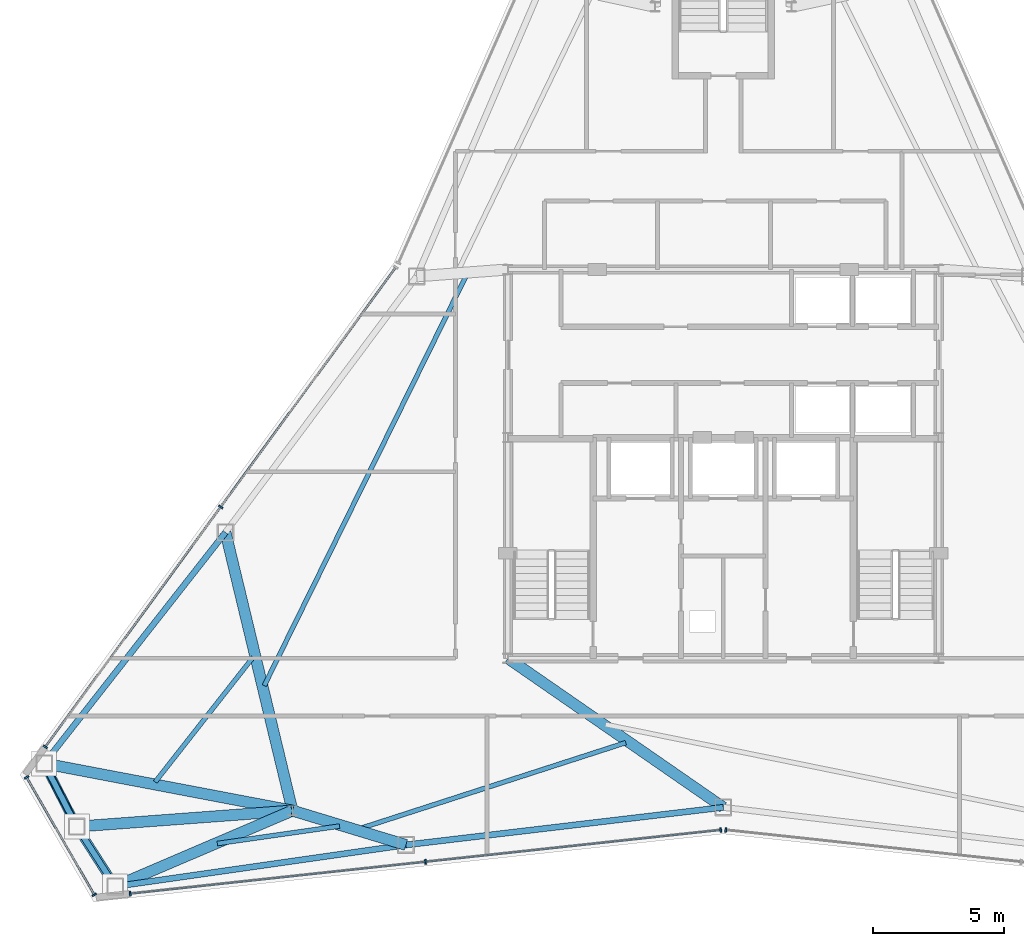
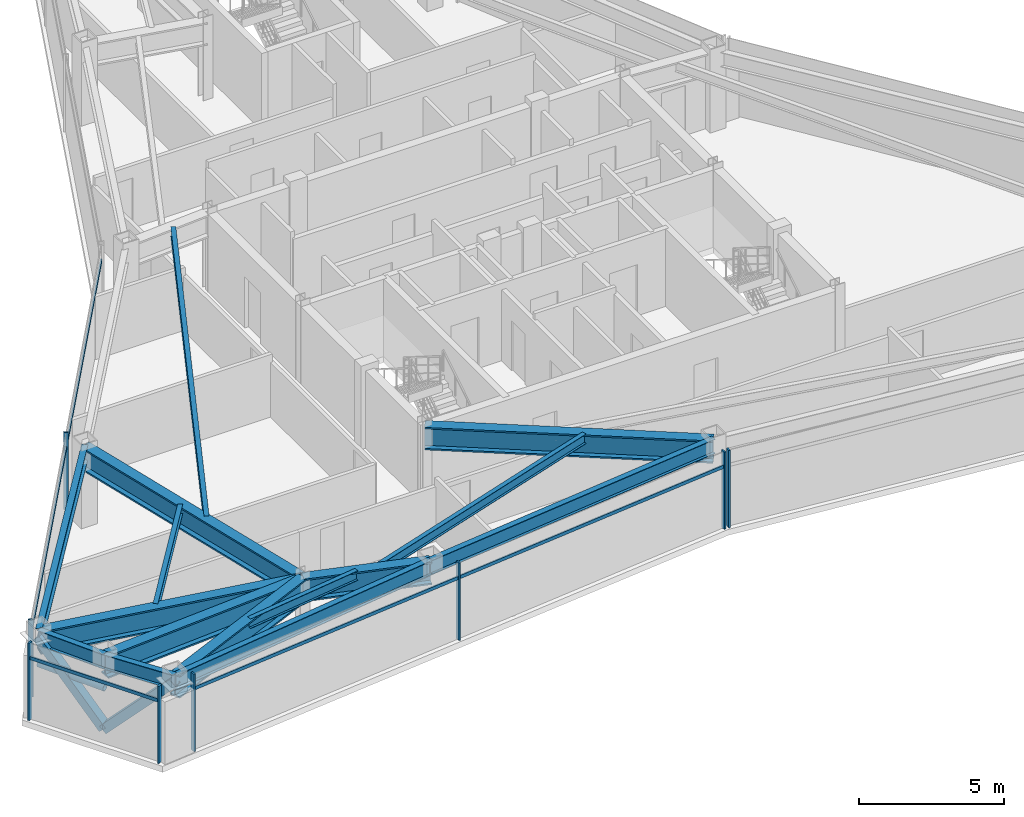
# One storey, part 3 of 12: 15 beams, 14 members, 4 elements without a shape of their own.
"""IFC4 building model written with IfcOpenShell, lengths in metres."""

from ifc_helpers import new_model, si_unit, direction, frame, origin, origin_2d, place, context, subcontext, project, spatial, rectangle, hollow_rectangle, hollow_circle, i_section, extrude, source, transform, mapped, material, layer, layer_set, material_profile, profile_set, type_object, type_shapes, element, aggregate, save


model = new_model("IFC4")

# Units and contexts
model_context = context("Model", 3, precision=1e-05, world=origin(), true_north=direction((0.0, 1.0)))
body_context = subcontext(model_context, "Body", "Model", "MODEL_VIEW")
ifc_project = project(units=[si_unit("LENGTHUNIT", "METRE"), si_unit("AREAUNIT", "SQUARE_METRE"), si_unit("VOLUMEUNIT", "CUBIC_METRE"), si_unit("PLANEANGLEUNIT", "RADIAN"), si_unit("MASSUNIT", "GRAM", prefix="KILO")], contexts=[model_context])

# Site, building, storey
site_placement = place(None, origin())
site = spatial("IfcSite", under=ifc_project, at=site_placement, CompositionType="ELEMENT")
building_placement = place(site_placement, origin())
building = spatial("IfcBuilding", under=site, at=building_placement, Name="Varakhsha Concourse Tower", CompositionType="ELEMENT")
storey_placement = place(building_placement, frame((0.0, 0.0, 265.5)))
storey = spatial("IfcBuildingStorey", under=building, at=storey_placement, Name="L75", CompositionType="ELEMENT", Elevation=265.5)

# Beams
ifc_material_1 = material(Name="Structural Steel ASTM A992 Grade 50", Category="steel")
ifc_material_profile_1 = material_profile(ifc_material_1, i_section(OverallWidth=0.177978515625, OverallDepth=0.406982421875, WebThickness=0.008056640625, FlangeThickness=0.012939453125, at=origin_2d()), Name="W16X40")
ifc_profile_set_1 = profile_set([ifc_material_profile_1], Name="Structural Steel ASTM A992 Grade 50")
beam_type_1 = type_object("IfcBeamType", Name="BM-JST-W16X40", PredefinedType="JOIST", material=ifc_profile_set_1)
beam_1_placement = place(storey_placement, frame((30.22412109375, 30.986083984375, 3.04638671875), z_axis=(-0.441851842642, -0.897088038686, 0.0), x_axis=(0.897088038686, -0.441851842642, 0.0)))
element("IfcBeam", 1, at=beam_1_placement, inside=storey, type_object=beam_type_1, Name="BM-TJST-L75-05", PredefinedType="JOIST", context=body_context, shape_type="SweptSolid", body=[
    extrude(i_section(OverallWidth=0.177978515625, OverallDepth=0.406982421875, WebThickness=0.008056640625, FlangeThickness=0.012939453125, at=origin_2d()), origin(), (0.0, 0.0, 1.0), 17.419921875),
])
beam_2_placement = place(storey_placement, frame((22.1044921875, 16.444580078125, 3.04638671875), z_axis=(-0.617368066023, -0.786674437779, 0.0), x_axis=(0.786674437779, -0.617368066023, 0.0)))
element("IfcBeam", 2, at=beam_2_placement, inside=storey, type_object=beam_type_1, Name="BM-TJST-L75-06", PredefinedType="JOIST", context=body_context, shape_type="SweptSolid", body=[
    extrude(i_section(OverallWidth=0.177978515625, OverallDepth=0.406982421875, WebThickness=0.008056640625, FlangeThickness=0.012939453125, at=origin_2d()), origin(), (0.0, 0.0, 1.0), 6.04052734375),
])
beam_3_placement = place(storey_placement, frame((20.739990234375, 9.345703125, 3.04638671875), z_axis=(0.989964036021, 0.141319522304, 0.0), x_axis=(-0.141319522304, 0.989964036021, 0.0)))
element("IfcBeam", 3, at=beam_3_placement, inside=storey, type_object=beam_type_1, Name="BM-TJST-L75-09", PredefinedType="JOIST", context=body_context, shape_type="SweptSolid", body=[
    extrude(i_section(OverallWidth=0.177978515625, OverallDepth=0.406982421875, WebThickness=0.008056640625, FlangeThickness=0.012939453125, at=origin_2d()), origin(), (0.0, 0.0, 1.0), 4.698974609375),
])
beam_4_placement = place(storey_placement, frame((26.123779296875, 9.902587890625, 3.04638671875), z_axis=(0.951535046043, 0.307540332561, 0.0), x_axis=(-0.307540332561, 0.951535046043, 0.0)))
element("IfcBeam", 4, at=beam_4_placement, inside=storey, type_object=beam_type_1, Name="BM-TJST-L75-10", PredefinedType="JOIST", context=body_context, shape_type="SweptSolid", body=[
    extrude(i_section(OverallWidth=0.177978515625, OverallDepth=0.406982421875, WebThickness=0.008056640625, FlangeThickness=0.012939453125, at=origin_2d()), origin(), (0.0, 0.0, 1.0), 10.68115234375),
])
ifc_material_profile_2 = material_profile(ifc_material_1, i_section(OverallWidth=0.423095703125, OverallDepth=0.947998046875, WebThickness=0.0380859375, FlangeThickness=0.06396484375, at=origin_2d()), Name="W36X302")
ifc_profile_set_2 = profile_set([ifc_material_profile_2], Name="Structural Steel ASTM A992 Grade 50")
beam_type_2 = type_object("IfcBeamType", Name="BM-OUTR-W36X302", PredefinedType="USERDEFINED", material=ifc_profile_set_2)
beam_5_placement = place(storey_placement, frame((23.60009765625, 10.60009765625, 2.77587890625), z_axis=(-0.234020493668, 0.97223166403, 0.0), x_axis=(-0.97223166403, -0.234020493668, 0.0)))
element("IfcBeam", 5, at=beam_5_placement, inside=storey, type_object=beam_type_2, Name="L75 Radial Floor Girder 06", ObjectType="GIRDER", PredefinedType="USERDEFINED", context=body_context, shape_type="SweptSolid", body=[
    extrude(i_section(OverallWidth=0.423095703125, OverallDepth=0.947998046875, WebThickness=0.0380859375, FlangeThickness=0.06396484375, at=origin_2d()), origin(), (0.0, 0.0, 1.0), 10.8935546875),
])
beam_6_placement = place(storey_placement, frame((23.60009765625, 10.60009765625, 2.77587890625), z_axis=(-0.982408020767, 0.186747103681, 0.0), x_axis=(-0.186747103681, -0.982408020767, 0.0)))
element("IfcBeam", 6, at=beam_6_placement, inside=storey, type_object=beam_type_2, Name="L75 Radial Floor Girder 07", ObjectType="GIRDER", PredefinedType="USERDEFINED", context=body_context, shape_type="SweptSolid", body=[
    extrude(i_section(OverallWidth=0.423095703125, OverallDepth=0.947998046875, WebThickness=0.0380859375, FlangeThickness=0.06396484375, at=origin_2d()), origin(), (0.0, 0.0, 1.0), 9.62060546875),
])
beam_7_placement = place(storey_placement, frame((23.60009765625, 10.60009765625, 2.77587890625), z_axis=(-0.997263302263, -0.073931765569, 0.0), x_axis=(0.073931765569, -0.997263302263, 0.0)))
element("IfcBeam", 7, at=beam_7_placement, inside=storey, type_object=beam_type_2, Name="L75 Radial Floor Girder 08", ObjectType="GIRDER", PredefinedType="USERDEFINED", context=body_context, shape_type="SweptSolid", body=[
    extrude(i_section(OverallWidth=0.423095703125, OverallDepth=0.947998046875, WebThickness=0.0380859375, FlangeThickness=0.06396484375, at=origin_2d()), origin(), (0.0, 0.0, 1.0), 8.232421875),
])
beam_8_placement = place(storey_placement, frame((23.60009765625, 10.60009765625, 2.77587890625), z_axis=(-0.91941323133, -0.393292906184, 0.0), x_axis=(0.393292906184, -0.91941323133, 0.0)))
element("IfcBeam", 8, at=beam_8_placement, inside=storey, type_object=beam_type_2, Name="L75 Radial Floor Girder 09", ObjectType="GIRDER", PredefinedType="USERDEFINED", context=body_context, shape_type="SweptSolid", body=[
    extrude(i_section(OverallWidth=0.423095703125, OverallDepth=0.947998046875, WebThickness=0.0380859375, FlangeThickness=0.06396484375, at=origin_2d()), origin(), (0.0, 0.0, 1.0), 7.33935546875),
])
beam_9_placement = place(storey_placement, frame((23.60009765625, 10.60009765625, 2.77587890625), z_axis=(0.957197136996, -0.289436764988, 0.0), x_axis=(0.289436764988, 0.957197136996, 0.0)))
element("IfcBeam", 9, at=beam_9_placement, inside=storey, type_object=beam_type_2, Name="L75 Radial Floor Girder 10", ObjectType="GIRDER", PredefinedType="USERDEFINED", context=body_context, shape_type="SweptSolid", body=[
    extrude(i_section(OverallWidth=0.423095703125, OverallDepth=0.947998046875, WebThickness=0.0380859375, FlangeThickness=0.06396484375, at=origin_2d()), origin(), (0.0, 0.0, 1.0), 4.5126953125),
])
beam_10_placement = place(storey_placement, frame((31.800048828125, 16.39990234375, 2.77587890625), z_axis=(0.822221273218, -0.569167969819, 0.0), x_axis=(0.569167969819, 0.822221273218, 0.0)))
element("IfcBeam", 10, at=beam_10_placement, inside=storey, type_object=beam_type_2, Name="L75 Radial Floor Girder 11", ObjectType="GIRDER", PredefinedType="USERDEFINED", context=body_context, shape_type="SweptSolid", body=[
    extrude(i_section(OverallWidth=0.423095703125, OverallDepth=0.947998046875, WebThickness=0.0380859375, FlangeThickness=0.06396484375, at=origin_2d()), origin(), (0.0, 0.0, 1.0), 9.972900390625),
])
ifc_material_profile_3 = material_profile(ifc_material_1, i_section(OverallWidth=0.22900390625, OverallDepth=0.612060546875, WebThickness=0.011962890625, FlangeThickness=0.02001953125, at=origin_2d()), Name="W24X84")
ifc_profile_set_3 = profile_set([ifc_material_profile_3], Name="Structural Steel ASTM A992 Grade 50")
beam_type_3 = type_object("IfcBeamType", Name="BM-SPAN-W24X84", PredefinedType="SPANDREL", material=ifc_profile_set_3)
beam_11_placement = place(storey_placement, frame((21.05078125, 21.191162109375, 2.944091796875), z_axis=(-0.617389378054, -0.786657712011, 0.0), x_axis=(0.786657712011, -0.617389378054, 0.0)))
element("IfcBeam", 11, at=beam_11_placement, inside=storey, type_object=beam_type_3, Name="BM-SPAN-L75-06", PredefinedType="SPANDREL", context=body_context, shape_type="SweptSolid", body=[
    extrude(i_section(OverallWidth=0.22900390625, OverallDepth=0.612060546875, WebThickness=0.011962890625, FlangeThickness=0.02001953125, at=origin_2d()), origin(), (0.0, 0.0, 1.0), 11.179443359375),
])
for number, where, z_axis, x_axis, name in (
    (12, (14.148681640625, 12.396728515625, 2.944091796875), (0.458649812349, -0.888617099561, 0.0), (0.888617099561, 0.458649812349, 0.0), "BM-SPAN-L75-07"),
    (13, (15.39013671875, 9.991455078125, 2.944091796875), (0.540192188796, -0.841541679992, 0.0), (0.841541679992, 0.540192188796, 0.0), "BM-SPAN-L75-08"),
):
    element("IfcBeam", number, at=place(storey_placement, frame(where, z_axis=z_axis, x_axis=x_axis)), inside=storey, type_object=beam_type_3, Name=name, PredefinedType="SPANDREL", context=body_context, shape_type="SweptSolid", body=[
        extrude(i_section(OverallWidth=0.22900390625, OverallDepth=0.612060546875, WebThickness=0.011962890625, FlangeThickness=0.02001953125, at=origin_2d()), origin(), (0.0, 0.0, 1.0), 2.706787109375),
    ])
beam_12_placement = place(storey_placement, frame((16.852294921875, 7.713623046875, 2.944091796875), z_axis=(0.989958663525, 0.141357152321, 0.0), x_axis=(-0.141357152321, 0.989958663525, 0.0)))
element("IfcBeam", 14, at=beam_12_placement, inside=storey, type_object=beam_type_3, Name="BM-SPAN-L75-09", PredefinedType="SPANDREL", context=body_context, shape_type="SweptSolid", body=[
    extrude(i_section(OverallWidth=0.22900390625, OverallDepth=0.612060546875, WebThickness=0.011962890625, FlangeThickness=0.02001953125, at=origin_2d()), origin(), (0.0, 0.0, 1.0), 11.1796875),
])
beam_13_placement = place(storey_placement, frame((27.919677734375, 9.2939453125, 2.944091796875), z_axis=(0.993069539855, 0.117528247719, 0.0), x_axis=(-0.117528247719, 0.993069539855, 0.0)))
element("IfcBeam", 15, at=beam_13_placement, inside=storey, type_object=beam_type_3, Name="BM-SPAN-L75-10", PredefinedType="SPANDREL", context=body_context, shape_type="SweptSolid", body=[
    extrude(i_section(OverallWidth=0.22900390625, OverallDepth=0.612060546875, WebThickness=0.011962890625, FlangeThickness=0.02001953125, at=origin_2d()), origin(), (0.0, 0.0, 1.0), 12.16455078125),
])

# Members
ifc_material_2 = material(Name="Structural Steel ASTM A500 Grade C", Category="steel")
ifc_material_profile_4 = material_profile(ifc_material_2, hollow_rectangle(XDim=0.35009765625, YDim=0.35009765625, WallThickness=0.01611328125, at=origin_2d()), Name="HSS 350x350x16")
ifc_profile_set_4 = profile_set([ifc_material_profile_4], Name="Structural Steel ASTM A500 Grade C")
member_type_1 = type_object("IfcMemberType", Name="MB-TUBE-HSS350", PredefinedType="BRACE", material=ifc_profile_set_4)
shared_shape_1 = source(origin(), body_context, "Body", "SweptSolid", [
    extrude(hollow_rectangle(XDim=0.35009765625, YDim=0.35009765625, WallThickness=0.01611328125, at=origin_2d()), origin(), (0.0, 0.0, 1.0), 3.916015625),
])
type_shapes(member_type_1, [shared_shape_1])
for number, where, z_axis, x_axis, name in (
    (16, (15.39013671875, 9.991455078125, 0.1201171875), (-0.317026844456, 0.614227821352, 0.722646637971), (-0.888617099561, -0.458649812349, 0.0), "L75 Wind-Corner Tube Brace B03"),
    (17, (15.39013671875, 9.991455078125, 0.1201171875), (0.373388702082, -0.581685855806, 0.722649598569), (0.841541679992, 0.540192188796, 0.0), "L75 Wind-Corner Tube Brace B04"),
):
    element("IfcMember", number, at=place(storey_placement, frame(where, z_axis=z_axis, x_axis=x_axis)), inside=storey, type_object=member_type_1, Name=name, PredefinedType="BRACE", context=body_context, shape_type="MappedRepresentation", body=[
        mapped(shared_shape_1, transform((0.0, 0.0, 0.0), scale=1.0)),
    ])
ifc_material_profile_5 = material_profile(ifc_material_2, hollow_circle(Radius=0.136474609375, WallThickness=0.011962890625, at=origin_2d()), Name="CHS 273x12")
ifc_profile_set_5 = profile_set([ifc_material_profile_5], Name="Structural Steel ASTM A500 Grade C")
member_type_2 = type_object("IfcMemberType", Name="MB-WIND-CHS273", PredefinedType="COLLAR", material=ifc_profile_set_5)
shared_shape_2 = source(origin(), body_context, "Body", "SweptSolid", [
    extrude(hollow_circle(Radius=0.136474609375, WallThickness=0.011962890625, at=origin_2d()), origin(), (0.0, 0.0, 1.0), 2.706787109375),
])
type_shapes(member_type_2, [shared_shape_2])
member_1_placement = place(storey_placement, frame((14.148681640625, 12.396728515625, 1.800048828125), z_axis=(0.458649812349, -0.888617099561, 0.0), x_axis=(0.888617099561, 0.458649812349, 0.0)))
element("IfcMember", 18, at=member_1_placement, inside=storey, type_object=member_type_2, Name="L75 Wind-Corner Collar Tie 2", PredefinedType="COLLAR", context=body_context, shape_type="MappedRepresentation", body=[
    mapped(shared_shape_2, transform((0.0, 0.0, 0.0), scale=1.0)),
])

# Curtain wall, members
ifc_material_3 = material(Name="Anodised Bronze Architectural Aluminium AA 6063-T6", Category="aluminium")
ifc_layer = layer(ifc_material_3, 0.199951171875, Name="CW-SYS-05")
ifc_layer_set = layer_set([ifc_layer], Name="Anodised Bronze Architectural Aluminium AA 6063-T6")
curtain_wall_type = type_object("IfcCurtainWallType", Name="CW-SYS-05", PredefinedType="NOTDEFINED", material=ifc_layer_set)
curtain_wall_1_placement = place(storey_placement, origin())
curtain_wall_1 = element("IfcCurtainWall", 19, at=curtain_wall_1_placement, inside=storey, type_object=curtain_wall_type, Name="L75 Crystal Curtain Wall F3", PredefinedType="NOTDEFINED")
ifc_material_profile_6 = material_profile(ifc_material_3, rectangle(XDim=0.06494140625, YDim=0.179931640625, at=origin_2d()), Name="CWM-180X65")
ifc_profile_set_6 = profile_set([ifc_material_profile_6], Name="Anodised Bronze Architectural Aluminium AA 6063-T6")
member_type_3 = type_object("IfcMemberType", Name="CWM-180X65", PredefinedType="MULLION", material=ifc_profile_set_6)
shared_shape_3 = source(origin(), body_context, "Body", "SweptSolid", [
    extrude(rectangle(XDim=0.06494140625, YDim=0.179931640625, at=origin_2d()), origin(), (0.0, 0.0, 1.0), 3.25),
])
type_shapes(member_type_3, [shared_shape_3])
member_2_placement = place(storey_placement, frame((14.195068359375, 13.028564453125, 0.0), z_axis=(0.0, 0.0, 1.0), x_axis=(0.589960426558, 0.807432161296, 0.0)))
member_2 = element("IfcMember", 20, at=member_2_placement, type_object=member_type_3, Name="CW-L75-F3 Mullion 00", PredefinedType="MULLION", context=body_context, shape_type="MappedRepresentation", body=[
    mapped(shared_shape_3, transform((0.0, 0.0, 0.0), scale=1.0)),
])
member_3_placement = place(storey_placement, frame((20.86474609375, 22.15673828125, 0.0), z_axis=(0.0, 0.0, 1.0), x_axis=(0.589960426558, 0.807432161296, 0.0)))
member_3 = element("IfcMember", 21, at=member_3_placement, type_object=member_type_3, Name="CW-L75-F3 Mullion 01", PredefinedType="MULLION", context=body_context, shape_type="MappedRepresentation", body=[
    mapped(shared_shape_3, transform((0.0, 0.0, 0.0), scale=1.0)),
])

curtain_wall_2_placement = place(storey_placement, origin())
curtain_wall_2 = element("IfcCurtainWall", 22, at=curtain_wall_2_placement, inside=storey, type_object=curtain_wall_type, Name="L75 Chamfer Curtain Wall F4", PredefinedType="NOTDEFINED")
member_4_placement = place(storey_placement, frame((16.056640625, 7.397216796875, 0.0), z_axis=(0.0, 0.0, 1.0), x_axis=(-0.499990930976, 0.866030639725, 0.0)))
member_4 = element("IfcMember", 23, at=member_4_placement, type_object=member_type_3, Name="CW-L75-F4 Mullion 00", PredefinedType="MULLION", context=body_context, shape_type="MappedRepresentation", body=[
    mapped(shared_shape_3, transform((0.0, 0.0, 0.0), scale=1.0)),
])
member_5_placement = place(storey_placement, frame((13.476806640625, 11.865966796875, 0.0), z_axis=(0.0, 0.0, 1.0), x_axis=(-0.499990930976, 0.866030639725, 0.0)))
member_5 = element("IfcMember", 24, at=member_5_placement, type_object=member_type_3, Name="CW-L75-F4 Mullion 01", PredefinedType="MULLION", context=body_context, shape_type="MappedRepresentation", body=[
    mapped(shared_shape_3, transform((0.0, 0.0, 0.0), scale=1.0)),
])

curtain_wall_3_placement = place(storey_placement, origin())
curtain_wall_3 = element("IfcCurtainWall", 25, at=curtain_wall_3_placement, inside=storey, type_object=curtain_wall_type, Name="L75 Crystal Curtain Wall F5", PredefinedType="NOTDEFINED")
member_6_placement = place(storey_placement, frame((39.9033203125, 9.862060546875, 0.0), z_axis=(0.0, 0.0, 1.0), x_axis=(-0.994236415458, -0.10720984179, 0.0)))
member_6 = element("IfcMember", 26, at=member_6_placement, type_object=member_type_3, Name="CW-L75-F5 Mullion 00", PredefinedType="MULLION", context=body_context, shape_type="MappedRepresentation", body=[
    mapped(shared_shape_3, transform((0.0, 0.0, 0.0), scale=1.0)),
])
member_7_placement = place(storey_placement, frame((28.6630859375, 8.650146484375, 0.0), z_axis=(0.0, 0.0, 1.0), x_axis=(-0.994236415458, -0.10720984179, 0.0)))
member_7 = element("IfcMember", 27, at=member_7_placement, type_object=member_type_3, Name="CW-L75-F5 Mullion 01", PredefinedType="MULLION", context=body_context, shape_type="MappedRepresentation", body=[
    mapped(shared_shape_3, transform((0.0, 0.0, 0.0), scale=1.0)),
])
member_8_placement = place(storey_placement, frame((17.4228515625, 7.43798828125, 0.0), z_axis=(0.0, 0.0, 1.0), x_axis=(-0.994236415458, -0.10720984179, 0.0)))
member_8 = element("IfcMember", 28, at=member_8_placement, type_object=member_type_3, Name="CW-L75-F5 Mullion 02", PredefinedType="MULLION", context=body_context, shape_type="MappedRepresentation", body=[
    mapped(shared_shape_3, transform((0.0, 0.0, 0.0), scale=1.0)),
])

# Curtain wall, member
curtain_wall_4_placement = place(storey_placement, origin())
curtain_wall_4 = element("IfcCurtainWall", 29, at=curtain_wall_4_placement, inside=storey, type_object=curtain_wall_type, Name="L75 Crystal Curtain Wall F6", PredefinedType="NOTDEFINED")
member_9_placement = place(storey_placement, frame((40.0966796875, 9.862060546875, 0.0), z_axis=(0.0, 0.0, 1.0), x_axis=(-0.994236415458, 0.10720984179, 0.0)))
member_9 = element("IfcMember", 30, at=member_9_placement, type_object=member_type_3, Name="CW-L75-F6 Mullion 02", PredefinedType="MULLION", context=body_context, shape_type="MappedRepresentation", body=[
    mapped(shared_shape_3, transform((0.0, 0.0, 0.0), scale=1.0)),
])
aggregate(curtain_wall_4, [member_9])

# Member
ifc_material_profile_7 = material_profile(ifc_material_3, rectangle(XDim=0.06005859375, YDim=0.139892578125, at=origin_2d()), Name="CWT-140X60")
ifc_profile_set_7 = profile_set([ifc_material_profile_7], Name="Anodised Bronze Architectural Aluminium AA 6063-T6")
member_type_4 = type_object("IfcMemberType", Name="CWT-140X60", PredefinedType="USERDEFINED", material=ifc_profile_set_7)
shared_shape_4 = source(origin(), body_context, "Body", "SweptSolid", [
    extrude(rectangle(XDim=0.06005859375, YDim=0.139892578125, at=origin_2d()), origin(), (0.0, 0.0, 1.0), 22.61083984375),
])
member_10_placement = place(storey_placement, frame((14.195068359375, 13.028564453125, 2.60009765625), z_axis=(0.589965963721, 0.807428115469, 0.0), x_axis=(-0.807428115469, 0.589965963721, 0.0)))
member_10 = element("IfcMember", 31, at=member_10_placement, type_object=member_type_4, Name="CW-L75-F3 Transom 01", ObjectType="TRANSOM", PredefinedType="USERDEFINED", context=body_context, shape_type="MappedRepresentation", body=[
    mapped(shared_shape_4, transform((0.0, 0.0, 0.0), scale=1.0)),
])

aggregate(curtain_wall_1, [member_2, member_3, member_10])

member_11_placement = place(storey_placement, frame((39.9033203125, 9.862060546875, 2.60009765625), z_axis=(-0.994236541478, -0.107208673114, 0.0), x_axis=(0.107208673114, -0.994236541478, 0.0)))
member_11 = element("IfcMember", 32, at=member_11_placement, type_object=member_type_4, Name="CW-L75-F5 Transom 01", ObjectType="TRANSOM", PredefinedType="USERDEFINED", context=body_context, shape_type="MappedRepresentation", body=[
    mapped(shared_shape_4, transform((0.0, 0.0, 0.0), scale=1.0)),
])

aggregate(curtain_wall_3, [member_6, member_7, member_8, member_11])

shared_shape_5 = source(origin(), body_context, "Body", "SweptSolid", [
    extrude(rectangle(XDim=0.06005859375, YDim=0.139892578125, at=origin_2d()), origin(), (0.0, 0.0, 1.0), 5.159912109375),
])
type_shapes(member_type_4, [shared_shape_4, shared_shape_5])
member_12_placement = place(storey_placement, frame((16.056640625, 7.397216796875, 2.60009765625), z_axis=(-0.499970925255, 0.866042189445, 0.0), x_axis=(-0.866042189445, -0.499970925255, 0.0)))
member_12 = element("IfcMember", 33, at=member_12_placement, type_object=member_type_4, Name="CW-L75-F4 Transom 01", ObjectType="TRANSOM", PredefinedType="USERDEFINED", context=body_context, shape_type="MappedRepresentation", body=[
    mapped(shared_shape_5, transform((0.0, 0.0, 0.0), scale=1.0)),
])

aggregate(curtain_wall_2, [member_4, member_5, member_12])

save(model, "model.ifc")
